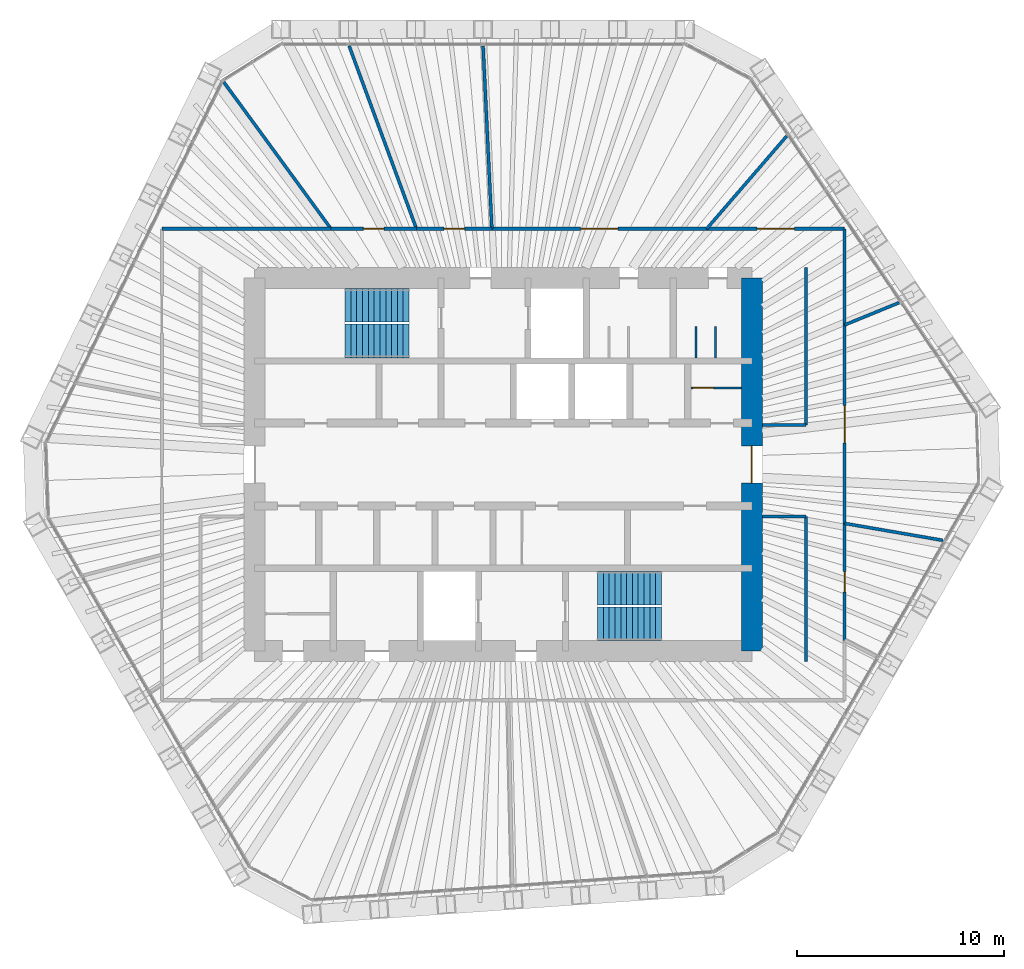
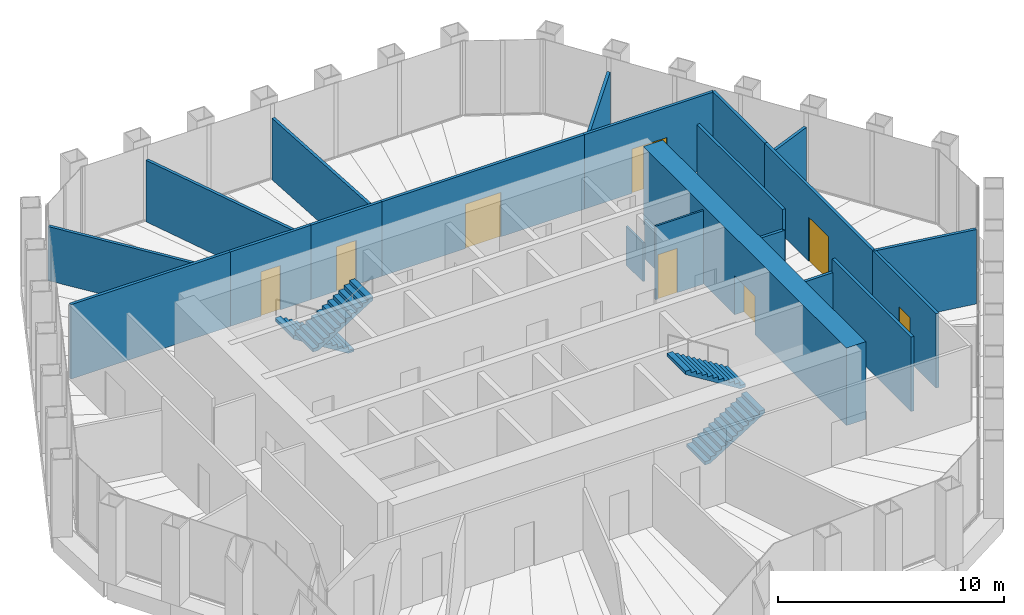
# One storey, part 13 of 14: 22 walls, 8 doors, 4 stair flights, 8 openings, 2 elements without a shape of their own.
"""IFC4 building model written with IfcOpenShell, lengths in metres."""

import ifcopenshell
import ifcopenshell.guid

model = None  # the IFC model being written
_history = None  # IfcOwnerHistory: only IFC2X3 demands one
_inside = {}  # id of a spatial element -> (the spatial element, [elements in it])
_under = {}  # id of a project, library or spatial element -> (it, [spatial elements below it])
_declared = {}  # id of a project -> (the project, [libraries it declares])
_typed = {}  # id of a type object -> (the type object, [elements of that type])
_made_of = {}  # id of a material, layer set ... -> (it, [elements and type objects made of it])


def new_model(schema):
    """Start an empty IFC model of exactly this schema.

    Asked for "IFC4X3", IfcOpenShell would pick the latest addendum, in which some entities
    have other attributes; the version numbers below select the first issue.
    IFC2X3 requires an IfcOwnerHistory on every rooted entity: one is made here for all.
    """
    global model, _history
    if schema == "IFC4X3":
        model = ifcopenshell.file(schema_version=(4, 3, 0, 0))
    else:
        model = ifcopenshell.file(schema=schema)
    _inside.clear()
    _under.clear()
    _declared.clear()
    _typed.clear()
    _made_of.clear()
    _history = None
    if model.schema == "IFC2X3":
        org = make("IfcOrganization", Name="unknown")
        user = make(
            "IfcPersonAndOrganization",
            ThePerson=make("IfcPerson", FamilyName="unknown"),
            TheOrganization=org,
        )
        app = make(
            "IfcApplication",
            ApplicationDeveloper=org,
            Version="unknown",
            ApplicationFullName="unknown",
            ApplicationIdentifier="unknown",
        )
        _history = make(
            "IfcOwnerHistory",
            OwningUser=user,
            OwningApplication=app,
            ChangeAction="ADDED",
            CreationDate=0,
        )
    return model


def make(cls, **values):
    """One entity of the class cls with the attributes given. An attribute that is None is left unset."""
    return model.create_entity(
        cls, **{name: value for name, value in values.items() if value is not None}
    )


def rooted(cls, **values):
    """An entity with a GlobalId (a new one), such as an element, a storey or a relation."""
    return make(cls, GlobalId=ifcopenshell.guid.new(), OwnerHistory=_history, **values)


def si_unit(unit_type, name, prefix=None):
    """IfcSIUnit, for example si_unit("LENGTHUNIT", "METRE", prefix="MILLI")."""
    return make("IfcSIUnit", UnitType=unit_type, Prefix=prefix, Name=name)


def assignment(units):
    """IfcUnitAssignment: the units of a project."""
    return None if units is None else make("IfcUnitAssignment", Units=units)


def point(xyz):
    """IfcCartesianPoint."""
    return None if xyz is None else make("IfcCartesianPoint", Coordinates=xyz)


def direction(xyz):
    """IfcDirection."""
    return None if xyz is None else make("IfcDirection", DirectionRatios=xyz)


def frame(location, z_axis=None, x_axis=None):
    """IfcAxis2Placement3D, a coordinate frame: its origin and axes. An axis left out is left unset."""
    return make(
        "IfcAxis2Placement3D",
        Location=point(location),
        Axis=direction(z_axis),
        RefDirection=direction(x_axis),
    )


def frame_2d(location, x_axis=None):
    """IfcAxis2Placement2D, a coordinate frame in the plane: its origin and x axis."""
    return make(
        "IfcAxis2Placement2D", Location=point(location), RefDirection=direction(x_axis)
    )


def origin():
    """The frame at (0, 0, 0) with its axes left unset."""
    return frame((0.0, 0.0, 0.0))


def place(relative_to, where):
    """IfcLocalPlacement: puts the frame where relative to a parent placement (None: the world)."""
    return make(
        "IfcLocalPlacement", PlacementRelTo=relative_to, RelativePlacement=where
    )


def context(
    kind, dimensions, precision=None, world=None, true_north=None, identifier=None
):
    """IfcGeometricRepresentationContext, for example the 3D "Model" context."""
    return make(
        "IfcGeometricRepresentationContext",
        ContextIdentifier=identifier,
        ContextType=kind,
        CoordinateSpaceDimension=dimensions,
        Precision=precision,
        WorldCoordinateSystem=world,
        TrueNorth=true_north,
    )


def subcontext(parent, identifier, kind, view, scale=None):
    """IfcGeometricRepresentationSubContext, for example "Body" below "Model"."""
    return make(
        "IfcGeometricRepresentationSubContext",
        ContextIdentifier=identifier,
        ContextType=kind,
        ParentContext=parent,
        TargetScale=scale,
        TargetView=view,
    )


def project(units=None, contexts=None):
    """IfcProject with its units and contexts."""
    return rooted(
        "IfcProject",
        Name="project",
        RepresentationContexts=contexts,
        UnitsInContext=assignment(units),
    )


def spatial(cls, under=None, at=None, **own):
    """A site, building, storey or space (cls), placed at a placement, below another one or the project."""
    s = rooted(cls, ObjectPlacement=at, **own)
    if under is not None:
        _under.setdefault(under.id(), (under, []))[1].append(s)
    return s


def polyline(points):
    """IfcPolyline through the points."""
    return make("IfcPolyline", Points=[point(p) for p in points])


def profile(cls, at=None, kind="AREA", **sizes):
    """A parametric profile (cls). Its sizes go by their IFC names, for example OverallWidth=200.0."""
    return make(cls, ProfileType=kind, Position=at, **sizes)


def rectangle(**sizes):
    """IfcRectangleProfileDef."""
    return profile("IfcRectangleProfileDef", **sizes)


def outline(outer, holes=None, kind="AREA"):
    """IfcArbitraryClosedProfileDef: a profile drawn as a closed curve; with holes, ...WithVoids."""
    if holes is None:
        return make("IfcArbitraryClosedProfileDef", ProfileType=kind, OuterCurve=outer)
    return make(
        "IfcArbitraryProfileDefWithVoids",
        ProfileType=kind,
        OuterCurve=outer,
        InnerCurves=holes,
    )


def extrude(swept, where, along, depth):
    """IfcExtrudedAreaSolid: the profile swept, set in the frame where, extruded along a direction by depth."""
    return make(
        "IfcExtrudedAreaSolid",
        SweptArea=swept,
        Position=where,
        ExtrudedDirection=direction(along),
        Depth=depth,
    )


def shape(context_of_items, identifier, shape_type, items):
    """IfcShapeRepresentation: the items that make up one representation, for example the "Body"."""
    return make(
        "IfcShapeRepresentation",
        ContextOfItems=context_of_items,
        RepresentationIdentifier=identifier,
        RepresentationType=shape_type,
        Items=items,
    )


def material(Name=None, Category=None):
    """IfcMaterial."""
    return make("IfcMaterial", Name=Name, Category=Category)


def layer(
    of_material, thickness, ventilated=None, Name=None, Category=None, Priority=None
):
    """IfcMaterialLayer: one layer of a wall or slab, of a material (None: an air gap)."""
    return make(
        "IfcMaterialLayer",
        Material=of_material,
        LayerThickness=thickness,
        IsVentilated=ventilated,
        Name=Name,
        Category=Category,
        Priority=Priority,
    )


def layer_set(layers, Name=None):
    """IfcMaterialLayerSet."""
    return make("IfcMaterialLayerSet", MaterialLayers=layers, LayerSetName=Name)


def made_of(thing, what):
    """Note that an element or type object is made of a material, layer set ...; save() writes the relation."""
    if what is not None:
        _made_of.setdefault(what.id(), (what, []))[1].append(thing)
    return thing


def type_object(cls, material=None, **own):
    """A type object (cls), such as IfcWallType, which elements share."""
    return made_of(rooted(cls, **own), material)


def element(
    cls,
    number,
    at=None,
    inside=None,
    cuts=None,
    type_object=None,
    material=None,
    context=None,
    identifier="Body",
    shape_type=None,
    held_by="IfcProductDefinitionShape",
    body=None,
    shapes=None,
    **own,
):
    """One element of the class cls, such as IfcWall. Its Tag is "e" and its number.

    at: its placement. inside: the storey or other place that contains it. cuts: it is an
    opening in that element (IfcRelVoidsElement). A single representation is given by context,
    identifier, shape_type and body (its items); several are given by shapes. held_by: the class
    of the entity that holds the representations. save() writes the other relations.
    """
    e = rooted(cls, Tag="e%d" % number, ObjectPlacement=at, **own)
    if body is not None:
        shapes = [shape(context, identifier, shape_type, body)]
    if shapes is not None:
        e.Representation = make(held_by, Representations=shapes)
    if inside is not None:
        _inside.setdefault(inside.id(), (inside, []))[1].append(e)
    if cuts is not None:
        rooted(
            "IfcRelVoidsElement", RelatingBuildingElement=cuts, RelatedOpeningElement=e
        )
    if type_object is not None:
        _typed.setdefault(type_object.id(), (type_object, []))[1].append(e)
    return made_of(e, material)


def fill(opening, filler):
    """IfcRelFillsElement: the door or window that sits in an opening."""
    return rooted(
        "IfcRelFillsElement",
        RelatingOpeningElement=opening,
        RelatedBuildingElement=filler,
    )


def aggregate(whole, parts):
    """IfcRelAggregates: a whole, such as a stair, and the parts it consists of."""
    return rooted("IfcRelAggregates", RelatingObject=whole, RelatedObjects=parts)


def save(model, path):
    """Write the relations noted so far, then the file.

    IfcRelAggregates (storeys below a building ...), IfcRelContainedInSpatialStructure (elements
    in a storey), IfcRelDefinesByType, IfcRelAssociatesMaterial and IfcRelDeclares: one each for
    every whole, place, type object, material and project.
    """
    for whole, parts in _under.values():
        aggregate(whole, parts)
    for where, things in _inside.values():
        rooted(
            "IfcRelContainedInSpatialStructure",
            RelatedElements=things,
            RelatingStructure=where,
        )
    for kind, things in _typed.values():
        rooted("IfcRelDefinesByType", RelatedObjects=things, RelatingType=kind)
    for what, things in _made_of.values():
        rooted("IfcRelAssociatesMaterial", RelatedObjects=things, RelatingMaterial=what)
    for by, libraries in _declared.values():
        rooted("IfcRelDeclares", RelatingContext=by, RelatedDefinitions=libraries)
    model.write(path)


model = new_model("IFC4")

# Units and contexts
model_context = context("Model", 3, precision=1e-05, world=origin(), true_north=direction((0.0, 1.0)))
body_context = subcontext(model_context, "Body", "Model", "MODEL_VIEW")
ifc_project = project(units=[si_unit("LENGTHUNIT", "METRE"), si_unit("AREAUNIT", "SQUARE_METRE"), si_unit("VOLUMEUNIT", "CUBIC_METRE"), si_unit("PLANEANGLEUNIT", "RADIAN"), si_unit("MASSUNIT", "GRAM", prefix="KILO")], contexts=[model_context])

# Site, building, storey
site_placement = place(None, origin())
site = spatial("IfcSite", under=ifc_project, at=site_placement, CompositionType="ELEMENT")
building_placement = place(site_placement, origin())
building = spatial("IfcBuilding", under=site, at=building_placement, Name="Qingtian Harvest Tower", CompositionType="ELEMENT")
storey_placement = place(building_placement, frame((0.0, 0.0, 274.60009765625)))
storey = spatial("IfcBuildingStorey", under=building, at=storey_placement, Name="L60", CompositionType="ELEMENT", Elevation=274.60009765625)

# Wall, opening, door
ifc_material_1 = material(Name="Concrete fc' 70 MPa", Category="concrete")
ifc_layer_1 = layer(ifc_material_1, 1.0)
ifc_layer_set_1 = layer_set([ifc_layer_1], Name="Core wall RC3 1000")
wall_type_1 = type_object("IfcWallType", Name="Core wall RC3 1000", PredefinedType="SHEAR", material=ifc_layer_set_1)
wall_1_placement = place(storey_placement, frame((12.0, -9.0, 0.0), z_axis=(0.0, 0.0, 1.0), x_axis=(0.0, 1.0, 0.0)))
wall_1 = element("IfcWall", 1, at=wall_1_placement, inside=storey, type_object=wall_type_1, Name="Core wall CE L60", PredefinedType="SHEAR", context=body_context, shape_type="SweptSolid", body=[
    extrude(rectangle(XDim=18.0, YDim=1.0, at=frame_2d((9.0, 0.0))), origin(), (0.0, 0.0, 1.0), 4.199951171875),
])
opening_1_placement = place(wall_1_placement, frame((8.10009765625, 0.0, 0.0)))
opening_1 = element("IfcOpeningElement", 2, at=opening_1_placement, cuts=wall_1, Name="Opening FD2", PredefinedType="OPENING", context=body_context, shape_type="SweptSolid", body=[
    extrude(rectangle(XDim=1.800048828125, YDim=2.10009765625, at=frame_2d((0.89990234375, 1.050048828125))), frame((0.0, 0.510009765625, 0.0), z_axis=(0.0, -1.0, 0.0), x_axis=(1.0, 0.0, 0.0)), (0.0, 0.0, 1.0), 1.02001953125),
])
ifc_material_2 = material(Name="Steel-faced door leaf", Category="steel")
door_type_1 = type_object("IfcDoorType", Name="Fire door FD2 double 1 HR", OperationType="DOUBLE_DOOR_DOUBLE_SWING", PredefinedType="DOOR", material=ifc_material_2)
door_1_placement = place(opening_1_placement, origin())
door_1 = element("IfcDoor", 3, at=door_1_placement, inside=storey, type_object=door_type_1, Name="LOBBY-E door L60", OperationType="DOUBLE_DOOR_DOUBLE_SWING", OverallHeight=2.10009765625, OverallWidth=1.800048828125, PredefinedType="DOOR", context=body_context, shape_type="SweptSolid", body=[
    extrude(rectangle(XDim=1.800048828125, YDim=2.10009765625, at=frame_2d((0.89990234375, 1.050048828125))), frame((0.0, 0.02490234375, 0.0), z_axis=(0.0, -1.0, 0.0), x_axis=(1.0, 0.0, 0.0)), (0.0, 0.0, 1.0), 0.050048828125),
])
fill(opening_1, door_1)

# Walls
ifc_material_3 = material(Name="Gypsum board on steel studs", Category="steel")
ifc_layer_2 = layer(ifc_material_3, 0.14990234375)
ifc_layer_set_2 = layer_set([ifc_layer_2], Name="Partition PT1 150")
wall_type_2 = type_object("IfcWallType", Name="Partition PT1 150", PredefinedType="PARTITIONING", material=ifc_layer_set_2)
wall_2_placement = place(storey_placement, frame((-16.47509765625, 11.375, 0.0), z_axis=(0.0, 0.0, 1.0), x_axis=(1.0, 0.0, 0.0)))
element("IfcWall", 4, at=wall_2_placement, inside=storey, type_object=wall_type_2, Name="Workplace zone wall L60", PredefinedType="PARTITIONING", context=body_context, shape_type="SweptSolid", body=[
    extrude(rectangle(XDim=8.162841796875, YDim=0.14990234375, at=frame_2d((4.08154296875, 0.0))), origin(), (0.0, 0.0, 1.0), 4.02978515625),
])
wall_3_placement = place(storey_placement, frame((-13.486083984375, 18.455322265625, 0.0), z_axis=(0.0, 0.0, 1.0), x_axis=(0.589997742419, -0.807404894672, 0.0)))
element("IfcWall", 5, at=wall_3_placement, inside=storey, type_object=wall_type_2, Name="Store room wall L60", PredefinedType="PARTITIONING", context=body_context, shape_type="SweptSolid", body=[
    extrude(rectangle(XDim=8.769287109375, YDim=0.14990234375, at=frame_2d((4.384765625, 0.0))), origin(), (0.0, 0.0, 1.0), 2.929931640625),
])

# Wall, opening, door
wall_4_placement = place(storey_placement, frame((-8.312255859375, 11.375, 0.0), z_axis=(0.0, 0.0, 1.0), x_axis=(1.0, 0.0, 0.0)))
wall_4 = element("IfcWall", 6, at=wall_4_placement, inside=storey, type_object=wall_type_2, Name="Store room wall L60", PredefinedType="PARTITIONING", context=body_context, shape_type="SweptSolid", body=[
    extrude(rectangle(XDim=4.1240234375, YDim=0.14990234375, at=frame_2d((2.06201171875, 0.0))), origin(), (0.0, 0.0, 1.0), 4.02978515625),
])
opening_2_placement = place(wall_4_placement, frame((1.56201171875, 0.0, 0.0)))
opening_2 = element("IfcOpeningElement", 7, at=opening_2_placement, cuts=wall_4, Name="Opening D2", PredefinedType="OPENING", context=body_context, shape_type="SweptSolid", body=[
    extrude(rectangle(XDim=1.0, YDim=2.39990234375, at=frame_2d((0.5, 1.199951171875))), frame((0.0, 0.0849609375, 0.0), z_axis=(0.0, -1.0, 0.0), x_axis=(1.0, 0.0, 0.0)), (0.0, 0.0, 1.0), 0.169921875),
])
ifc_material_4 = material(Name="Laminated timber door leaf", Category="wood")
door_type_2 = type_object("IfcDoorType", Name="Room door D2 single", OperationType="SINGLE_SWING_LEFT", PredefinedType="DOOR", material=ifc_material_4)
door_2_placement = place(opening_2_placement, origin())
door_2 = element("IfcDoor", 8, at=door_2_placement, inside=storey, type_object=door_type_2, Name="Store room door L60", OperationType="SINGLE_SWING_LEFT", OverallHeight=2.39990234375, OverallWidth=1.0, PredefinedType="DOOR", context=body_context, shape_type="SweptSolid", body=[
    extrude(rectangle(XDim=1.0, YDim=2.39990234375, at=frame_2d((0.5, 1.199951171875))), frame((0.0, 0.02490234375, 0.0), z_axis=(0.0, -1.0, 0.0), x_axis=(1.0, 0.0, 0.0)), (0.0, 0.0, 1.0), 0.050048828125),
])
fill(opening_2, door_2)

# Wall
wall_5_placement = place(storey_placement, frame((-7.439697265625, 20.2060546875, 0.0), z_axis=(0.0, 0.0, 1.0), x_axis=(0.345510588088, -0.938414851502, 0.0)))
element("IfcWall", 9, at=wall_5_placement, inside=storey, type_object=wall_type_2, Name="Quiet room wall L60", PredefinedType="PARTITIONING", context=body_context, shape_type="SweptSolid", body=[
    extrude(rectangle(XDim=9.41064453125, YDim=0.14990234375, at=frame_2d((4.705322265625, 0.0))), origin(), (0.0, 0.0, 1.0), 3.329833984375),
])

# Wall, opening, door
wall_6_placement = place(storey_placement, frame((-4.188232421875, 11.375, 0.0), z_axis=(0.0, 0.0, 1.0), x_axis=(1.0, 0.0, 0.0)))
wall_6 = element("IfcWall", 10, at=wall_6_placement, inside=storey, type_object=wall_type_2, Name="Quiet room wall L60", PredefinedType="PARTITIONING", context=body_context, shape_type="SweptSolid", body=[
    extrude(rectangle(XDim=3.64013671875, YDim=0.14990234375, at=frame_2d((1.820068359375, 0.0))), origin(), (0.0, 0.0, 1.0), 4.02978515625),
])
opening_3_placement = place(wall_6_placement, frame((1.320068359375, 0.0, 0.0)))
opening_3 = element("IfcOpeningElement", 11, at=opening_3_placement, cuts=wall_6, Name="Opening D2", PredefinedType="OPENING", context=body_context, shape_type="SweptSolid", body=[
    extrude(rectangle(XDim=1.0, YDim=2.39990234375, at=frame_2d((0.5, 1.199951171875))), frame((0.0, 0.0849609375, 0.0), z_axis=(0.0, -1.0, 0.0), x_axis=(1.0, 0.0, 0.0)), (0.0, 0.0, 1.0), 0.169921875),
])
door_3_placement = place(opening_3_placement, origin())
door_3 = element("IfcDoor", 12, at=door_3_placement, inside=storey, type_object=door_type_2, Name="Quiet room door L60", OperationType="SINGLE_SWING_LEFT", OverallHeight=2.39990234375, OverallWidth=1.0, PredefinedType="DOOR", context=body_context, shape_type="SweptSolid", body=[
    extrude(rectangle(XDim=1.0, YDim=2.39990234375, at=frame_2d((0.5, 1.199951171875))), frame((0.0, 0.02490234375, 0.0), z_axis=(0.0, -1.0, 0.0), x_axis=(1.0, 0.0, 0.0)), (0.0, 0.0, 1.0), 0.050048828125),
])
fill(opening_3, door_3)

# Wall
wall_7_placement = place(storey_placement, frame((-0.973388671875, 20.2001953125, 0.0), z_axis=(0.0, 0.0, 1.0), x_axis=(0.048134910622, -0.998840843368, 0.0)))
element("IfcWall", 13, at=wall_7_placement, inside=storey, type_object=wall_type_2, Name="Workplace zone wall L60", PredefinedType="PARTITIONING", context=body_context, shape_type="SweptSolid", body=[
    extrude(rectangle(XDim=8.83544921875, YDim=0.14990234375, at=frame_2d((4.417724609375, 0.0))), origin(), (0.0, 0.0, 1.0), 3.329833984375),
])

# Wall, opening, door
wall_8_placement = place(storey_placement, frame((-0.548095703125, 11.375, 0.0), z_axis=(0.0, 0.0, 1.0), x_axis=(1.0, 0.0, 0.0)))
wall_8 = element("IfcWall", 14, at=wall_8_placement, inside=storey, type_object=wall_type_2, Name="Workplace zone wall L60", PredefinedType="PARTITIONING", context=body_context, shape_type="SweptSolid", body=[
    extrude(rectangle(XDim=10.364501953125, YDim=0.14990234375, at=frame_2d((5.18212890625, 0.0))), origin(), (0.0, 0.0, 1.0), 4.02978515625),
])
opening_4_placement = place(wall_8_placement, frame((4.2822265625, 0.0, 0.0)))
opening_4 = element("IfcOpeningElement", 15, at=opening_4_placement, cuts=wall_8, Name="Opening D3", PredefinedType="OPENING", context=body_context, shape_type="SweptSolid", body=[
    extrude(rectangle(XDim=1.800048828125, YDim=2.39990234375, at=frame_2d((0.89990234375, 1.199951171875))), frame((0.0, 0.0849609375, 0.0), z_axis=(0.0, -1.0, 0.0), x_axis=(1.0, 0.0, 0.0)), (0.0, 0.0, 1.0), 0.169921875),
])
ifc_material_5 = material(Name="Laminated timber door leaf", Category="wood")
door_type_3 = type_object("IfcDoorType", Name="Room door D3 double", OperationType="DOUBLE_DOOR_DOUBLE_SWING", PredefinedType="DOOR", material=ifc_material_5)
door_4_placement = place(opening_4_placement, origin())
door_4 = element("IfcDoor", 16, at=door_4_placement, inside=storey, type_object=door_type_3, Name="Workplace zone door L60", OperationType="DOUBLE_DOOR_DOUBLE_SWING", OverallHeight=2.39990234375, OverallWidth=1.800048828125, PredefinedType="DOOR", context=body_context, shape_type="SweptSolid", body=[
    extrude(rectangle(XDim=1.800048828125, YDim=2.39990234375, at=frame_2d((0.89990234375, 1.199951171875))), frame((0.0, 0.02490234375, 0.0), z_axis=(0.0, -1.0, 0.0), x_axis=(1.0, 0.0, 0.0)), (0.0, 0.0, 1.0), 0.050048828125),
])
fill(opening_4, door_4)

# Wall
wall_9_placement = place(storey_placement, frame((13.678466796875, 15.850341796875, 0.0), z_axis=(0.0, 0.0, 1.0), x_axis=(-0.653328423077, -0.757074614288, 0.0)))
element("IfcWall", 17, at=wall_9_placement, inside=storey, type_object=wall_type_2, Name="Meeting room wall L60", PredefinedType="PARTITIONING", context=body_context, shape_type="SweptSolid", body=[
    extrude(rectangle(XDim=5.911376953125, YDim=0.14990234375, at=frame_2d((2.95556640625, 0.0))), origin(), (0.0, 0.0, 1.0), 3.329833984375),
])

# Wall, opening, door
wall_10_placement = place(storey_placement, frame((9.81640625, 11.375, 0.0), z_axis=(0.0, 0.0, 1.0), x_axis=(1.0, 0.0, 0.0)))
wall_10 = element("IfcWall", 18, at=wall_10_placement, inside=storey, type_object=wall_type_2, Name="Meeting room wall L60", PredefinedType="PARTITIONING", context=body_context, shape_type="SweptSolid", body=[
    extrude(rectangle(XDim=6.65869140625, YDim=0.14990234375, at=frame_2d((3.329345703125, 0.0))), origin(), (0.0, 0.0, 1.0), 4.02978515625),
])
opening_5_placement = place(wall_10_placement, frame((2.42919921875, 0.0, 0.0)))
opening_5 = element("IfcOpeningElement", 19, at=opening_5_placement, cuts=wall_10, Name="Opening D3", PredefinedType="OPENING", context=body_context, shape_type="SweptSolid", body=[
    extrude(rectangle(XDim=1.800048828125, YDim=2.39990234375, at=frame_2d((0.89990234375, 1.199951171875))), frame((0.0, 0.0849609375, 0.0), z_axis=(0.0, -1.0, 0.0), x_axis=(1.0, 0.0, 0.0)), (0.0, 0.0, 1.0), 0.169921875),
])
door_5_placement = place(opening_5_placement, origin())
door_5 = element("IfcDoor", 20, at=door_5_placement, inside=storey, type_object=door_type_3, Name="Meeting room door L60", OperationType="DOUBLE_DOOR_DOUBLE_SWING", OverallHeight=2.39990234375, OverallWidth=1.800048828125, PredefinedType="DOOR", context=body_context, shape_type="SweptSolid", body=[
    extrude(rectangle(XDim=1.800048828125, YDim=2.39990234375, at=frame_2d((0.89990234375, 1.199951171875))), frame((0.0, 0.02490234375, 0.0), z_axis=(0.0, -1.0, 0.0), x_axis=(1.0, 0.0, 0.0)), (0.0, 0.0, 1.0), 0.050048828125),
])
fill(opening_5, door_5)

# Walls
wall_11_placement = place(storey_placement, frame((16.47509765625, 11.375, 0.0), z_axis=(0.0, 0.0, 1.0), x_axis=(0.0, -1.0, 0.0)))
element("IfcWall", 21, at=wall_11_placement, inside=storey, type_object=wall_type_2, Name="Meeting room wall L60", PredefinedType="PARTITIONING", context=body_context, shape_type="SweptSolid", body=[
    extrude(rectangle(XDim=4.638427734375, YDim=0.14990234375, at=frame_2d((2.3193359375, 0.0))), origin(), (0.0, 0.0, 1.0), 4.02978515625),
])
wall_12_placement = place(storey_placement, frame((19.10009765625, 7.81005859375, 0.0), z_axis=(0.0, 0.0, 1.0), x_axis=(-0.925593572601, -0.378518874509, 0.0)))
element("IfcWall", 22, at=wall_12_placement, inside=storey, type_object=wall_type_2, Name="Workplace zone wall L60", PredefinedType="PARTITIONING", context=body_context, shape_type="SweptSolid", body=[
    extrude(rectangle(XDim=2.8359375, YDim=0.14990234375, at=frame_2d((1.41796875, 0.0))), origin(), (0.0, 0.0, 1.0), 3.329833984375),
])

# Wall, opening, door
wall_13_placement = place(storey_placement, frame((16.47509765625, 6.736572265625, 0.0), z_axis=(0.0, 0.0, 1.0), x_axis=(0.0, -1.0, 0.0)))
wall_13 = element("IfcWall", 23, at=wall_13_placement, inside=storey, type_object=wall_type_2, Name="Workplace zone wall L60", PredefinedType="PARTITIONING", context=body_context, shape_type="SweptSolid", body=[
    extrude(rectangle(XDim=9.578369140625, YDim=0.14990234375, at=frame_2d((4.7890625, 0.0))), origin(), (0.0, 0.0, 1.0), 4.02978515625),
])
opening_6_placement = place(wall_13_placement, frame((3.88916015625, 0.0, 0.0)))
opening_6 = element("IfcOpeningElement", 24, at=opening_6_placement, cuts=wall_13, Name="Opening D3", PredefinedType="OPENING", context=body_context, shape_type="SweptSolid", body=[
    extrude(rectangle(XDim=1.800048828125, YDim=2.39990234375, at=frame_2d((0.89990234375, 1.199951171875))), frame((0.0, 0.0849609375, 0.0), z_axis=(0.0, -1.0, 0.0), x_axis=(1.0, 0.0, 0.0)), (0.0, 0.0, 1.0), 0.169921875),
])
door_6_placement = place(opening_6_placement, origin())
door_6 = element("IfcDoor", 25, at=door_6_placement, inside=storey, type_object=door_type_3, Name="Workplace zone door L60", OperationType="DOUBLE_DOOR_DOUBLE_SWING", OverallHeight=2.39990234375, OverallWidth=1.800048828125, PredefinedType="DOOR", context=body_context, shape_type="SweptSolid", body=[
    extrude(rectangle(XDim=1.800048828125, YDim=2.39990234375, at=frame_2d((0.89990234375, 1.199951171875))), frame((0.0, 0.02490234375, 0.0), z_axis=(0.0, -1.0, 0.0), x_axis=(1.0, 0.0, 0.0)), (0.0, 0.0, 1.0), 0.050048828125),
])
fill(opening_6, door_6)

# Wall
wall_14_placement = place(storey_placement, frame((21.218994140625, -3.66015625, 0.0), z_axis=(0.0, 0.0, 1.0), x_axis=(-0.985444592587, 0.16999692627, 0.0)))
element("IfcWall", 26, at=wall_14_placement, inside=storey, type_object=wall_type_2, Name="Pantry wall L60", PredefinedType="PARTITIONING", context=body_context, shape_type="SweptSolid", body=[
    extrude(rectangle(XDim=4.81396484375, YDim=0.14990234375, at=frame_2d((2.406982421875, 0.0))), origin(), (0.0, 0.0, 1.0), 4.02978515625),
])

# Wall, opening, door
wall_15_placement = place(storey_placement, frame((16.47509765625, -2.841796875, 0.0), z_axis=(0.0, 0.0, 1.0), x_axis=(0.0, -1.0, 0.0)))
wall_15 = element("IfcWall", 27, at=wall_15_placement, inside=storey, type_object=wall_type_2, Name="Pantry wall L60", PredefinedType="PARTITIONING", context=body_context, shape_type="SweptSolid", body=[
    extrude(rectangle(XDim=5.64013671875, YDim=0.14990234375, at=frame_2d((2.820068359375, 0.0))), origin(), (0.0, 0.0, 1.0), 4.02978515625),
])
opening_7_placement = place(wall_15_placement, frame((2.320068359375, 0.0, 0.0)))
opening_7 = element("IfcOpeningElement", 28, at=opening_7_placement, cuts=wall_15, Name="Opening D2", PredefinedType="OPENING", context=body_context, shape_type="SweptSolid", body=[
    extrude(rectangle(XDim=1.0, YDim=2.39990234375, at=frame_2d((0.5, 1.199951171875))), frame((0.0, 0.0849609375, 0.0), z_axis=(0.0, -1.0, 0.0), x_axis=(1.0, 0.0, 0.0)), (0.0, 0.0, 1.0), 0.169921875),
])
door_7_placement = place(opening_7_placement, origin())
door_7 = element("IfcDoor", 29, at=door_7_placement, inside=storey, type_object=door_type_2, Name="Pantry door L60", OperationType="SINGLE_SWING_LEFT", OverallHeight=2.39990234375, OverallWidth=1.0, PredefinedType="DOOR", context=body_context, shape_type="SweptSolid", body=[
    extrude(rectangle(XDim=1.0, YDim=2.39990234375, at=frame_2d((0.5, 1.199951171875))), frame((0.0, 0.02490234375, 0.0), z_axis=(0.0, -1.0, 0.0), x_axis=(1.0, 0.0, 0.0)), (0.0, 0.0, 1.0), 0.050048828125),
])
fill(opening_7, door_7)

# Walls
wall_16_placement = place(storey_placement, frame((14.60009765625, 1.89990234375, 0.0), z_axis=(0.0, 0.0, 1.0), x_axis=(0.0, 1.0, 0.0)))
element("IfcWall", 30, at=wall_16_placement, inside=storey, type_object=wall_type_2, Name="Coffee point wall L60", PredefinedType="PARTITIONING", context=body_context, shape_type="SweptSolid", body=[
    extrude(rectangle(XDim=7.60009765625, YDim=0.14990234375, at=frame_2d((3.800048828125, 0.0))), origin(), (0.0, 0.0, 1.0), 4.02978515625),
])
wall_17_placement = place(storey_placement, frame((12.5, 1.89990234375, 0.0), z_axis=(0.0, 0.0, 1.0), x_axis=(1.0, 0.0, 0.0)))
element("IfcWall", 31, at=wall_17_placement, inside=storey, type_object=wall_type_2, Name="Coffee point wall L60", PredefinedType="PARTITIONING", context=body_context, shape_type="SweptSolid", body=[
    extrude(rectangle(XDim=2.10009765625, YDim=0.14990234375, at=frame_2d((1.050048828125, 0.0))), origin(), (0.0, 0.0, 1.0), 2.929931640625),
])
wall_18_placement = place(storey_placement, frame((14.60009765625, -9.5, 0.0), z_axis=(0.0, 0.0, 1.0), x_axis=(0.0, 1.0, 0.0)))
element("IfcWall", 32, at=wall_18_placement, inside=storey, type_object=wall_type_2, Name="Print area wall L60", PredefinedType="PARTITIONING", context=body_context, shape_type="SweptSolid", body=[
    extrude(rectangle(XDim=7.0, YDim=0.14990234375, at=frame_2d((3.5, 0.0))), origin(), (0.0, 0.0, 1.0), 4.02978515625),
])
wall_19_placement = place(storey_placement, frame((12.5, -2.5, 0.0), z_axis=(0.0, 0.0, 1.0), x_axis=(1.0, 0.0, 0.0)))
element("IfcWall", 33, at=wall_19_placement, inside=storey, type_object=wall_type_2, Name="Print area wall L60", PredefinedType="PARTITIONING", context=body_context, shape_type="SweptSolid", body=[
    extrude(rectangle(XDim=2.10009765625, YDim=0.14990234375, at=frame_2d((1.050048828125, 0.0))), origin(), (0.0, 0.0, 1.0), 3.329833984375),
])

# Wall, opening, door
ifc_material_6 = material(Name="Concrete block partition", Category="concrete")
ifc_layer_3 = layer(ifc_material_6, 0.10009765625)
ifc_layer_set_3 = layer_set([ifc_layer_3], Name="Store partition PT3 100")
wall_type_3 = type_object("IfcWallType", Name="Store partition PT3 100", PredefinedType="PARTITIONING", material=ifc_layer_set_3)
wall_20_placement = place(storey_placement, frame((9.050048828125, 3.699951171875, 0.0), z_axis=(0.0, 0.0, 1.0), x_axis=(1.0, 0.0, 0.0)))
wall_20 = element("IfcWall", 34, at=wall_20_placement, inside=storey, type_object=wall_type_3, Name="Filter plant room wall L60", PredefinedType="PARTITIONING", context=body_context, shape_type="SweptSolid", body=[
    extrude(rectangle(XDim=2.449951171875, YDim=0.10009765625, at=frame_2d((1.22509765625, 0.0))), origin(), (0.0, 0.0, 1.0), 3.97998046875),
])
opening_8_placement = place(wall_20_placement, frame((0.10009765625, 0.0, 0.0)))
opening_8 = element("IfcOpeningElement", 35, at=opening_8_placement, cuts=wall_20, Name="Opening D2", PredefinedType="OPENING", context=body_context, shape_type="SweptSolid", body=[
    extrude(rectangle(XDim=1.0, YDim=2.39990234375, at=frame_2d((0.5, 1.199951171875))), frame((0.0, 0.06005859375, 0.0), z_axis=(0.0, -1.0, 0.0), x_axis=(1.0, 0.0, 0.0)), (0.0, 0.0, 1.0), 0.1201171875),
])
door_8_placement = place(opening_8_placement, origin())
door_8 = element("IfcDoor", 36, at=door_8_placement, inside=storey, type_object=door_type_2, Name="Filter plant room door L60", OperationType="SINGLE_SWING_LEFT", OverallHeight=2.39990234375, OverallWidth=1.0, PredefinedType="DOOR", context=body_context, shape_type="SweptSolid", body=[
    extrude(rectangle(XDim=1.0, YDim=2.39990234375, at=frame_2d((0.5, 1.199951171875))), frame((0.0, 0.02490234375, 0.0), z_axis=(0.0, -1.0, 0.0), x_axis=(1.0, 0.0, 0.0)), (0.0, 0.0, 1.0), 0.050048828125),
])
fill(opening_8, door_8)

# Walls
ifc_material_7 = material(Name="Compact laminate cubicle partition", Category="plastic")
ifc_layer_4 = layer(ifc_material_7, 0.10009765625)
ifc_layer_set_4 = layer_set([ifc_layer_4], Name="WC cubicle partition WP1 100")
wall_type_4 = type_object("IfcWallType", Name="WC cubicle partition WP1 100", PredefinedType="PARTITIONING", material=ifc_layer_set_4)
for number, where, z_axis, x_axis, name in (
    (37, (9.300048828125, 5.14990234375, 0.0), (0.0, 0.0, 1.0), (0.0, 1.0, 0.0), "WC cubicle partition WCF L60"),
    (38, (10.25, 5.14990234375, 0.0), (0.0, 0.0, 1.0), (0.0, 1.0, 0.0), "WC cubicle partition WCF L60"),
):
    element("IfcWall", number, at=place(storey_placement, frame(where, z_axis=z_axis, x_axis=x_axis)), inside=storey, type_object=wall_type_4, Name=name, PredefinedType="PARTITIONING", context=body_context, shape_type="SweptSolid", body=[
        extrude(rectangle(XDim=1.5, YDim=0.10009765625, at=frame_2d((0.75, 0.0))), origin(), (0.0, 0.0, 1.0), 2.099853515625),
    ])

# Stair, stair flights
ifc_material_8 = material(Name="Concrete fc' 35 MPa", Category="concrete")
stair_type = type_object("IfcStairType", Name="Special stair ST6 4200", PredefinedType="HALF_TURN_STAIR", material=ifc_material_8)
stair_1_placement = place(storey_placement, origin())
stair_1 = element("IfcStair", 39, at=stair_1_placement, inside=storey, type_object=stair_type, Name="Special stair S1 L60", PredefinedType="HALF_TURN_STAIR")
ifc_material_9 = material(Name="Concrete fc' 35 MPa", Category="concrete")
stair_flight_type = type_object("IfcStairFlightType", Name="Stair flight SF6 4200", PredefinedType="STRAIGHT", material=ifc_material_9)
stair_flight_1_placement = place(storey_placement, frame((-4.550048828125, 7.6875, 0.0), z_axis=(0.0, 0.0, 1.0), x_axis=(-1.0, 0.0, 0.0)))
stair_flight_1 = element("IfcStairFlight", 40, at=stair_flight_1_placement, type_object=stair_flight_type, Name="S1 flight 1", NumberOfRisers=12, NumberOfTreads=11, PredefinedType="STRAIGHT", RiserHeight=0.175, TreadLength=0.28, context=body_context, shape_type="SweptSolid", body=[
    extrude(outline(polyline([(0.0, 0.0), (0.0, 0.175048828125), (0.280029296875, 0.175048828125), (0.280029296875, 0.35009765625), (0.56005859375, 0.35009765625), (0.56005859375, 0.52490234375), (0.840087890625, 0.52490234375), (0.840087890625, 0.699951171875), (1.1201171875, 0.699951171875), (1.1201171875, 0.875), (1.39990234375, 0.875), (1.39990234375, 1.050048828125), (1.679931640625, 1.050048828125), (1.679931640625, 1.22509765625), (1.9599609375, 1.22509765625), (1.9599609375, 1.39990234375), (2.239990234375, 1.39990234375), (2.239990234375, 1.574951171875), (2.52001953125, 1.574951171875), (2.52001953125, 1.75), (2.800048828125, 1.75), (2.800048828125, 1.925048828125), (3.080078125, 1.925048828125), (3.080078125, 2.10009765625), (3.080078125, 1.748291015625), (0.28271484375, 0.0), (0.0, 0.0)])), frame((0.0, 0.8125, 0.0), z_axis=(0.0, -1.0, 0.0), x_axis=(1.0, 0.0, 0.0)), (0.0, 0.0, 1.0), 1.625),
])
stair_flight_2_placement = place(storey_placement, frame((-7.6298828125, 5.96240234375, 2.099853515625), z_axis=(0.0, 0.0, 1.0), x_axis=(1.0, 0.0, 0.0)))
stair_flight_2 = element("IfcStairFlight", 41, at=stair_flight_2_placement, type_object=stair_flight_type, Name="S1 flight 2", NumberOfRisers=12, NumberOfTreads=11, PredefinedType="STRAIGHT", RiserHeight=0.175, TreadLength=0.28, context=body_context, shape_type="SweptSolid", body=[
    extrude(outline(polyline([(0.0, 0.0), (0.0, 0.175048828125), (0.280029296875, 0.175048828125), (0.280029296875, 0.35009765625), (0.56005859375, 0.35009765625), (0.56005859375, 0.52490234375), (0.840087890625, 0.52490234375), (0.840087890625, 0.699951171875), (1.1201171875, 0.699951171875), (1.1201171875, 0.875), (1.39990234375, 0.875), (1.39990234375, 1.050048828125), (1.679931640625, 1.050048828125), (1.679931640625, 1.22509765625), (1.9599609375, 1.22509765625), (1.9599609375, 1.39990234375), (2.239990234375, 1.39990234375), (2.239990234375, 1.574951171875), (2.52001953125, 1.574951171875), (2.52001953125, 1.75), (2.800048828125, 1.75), (2.800048828125, 1.925048828125), (3.080078125, 1.925048828125), (3.080078125, 2.10009765625), (3.080078125, 1.748291015625), (0.28271484375, 0.0), (0.0, 0.0)])), frame((0.0, 0.8125, 0.0), z_axis=(0.0, -1.0, 0.0), x_axis=(1.0, 0.0, 0.0)), (0.0, 0.0, 1.0), 1.625),
])
aggregate(stair_1, [stair_flight_1, stair_flight_2])

stair_2_placement = place(storey_placement, origin())
stair_2 = element("IfcStair", 42, at=stair_2_placement, inside=storey, type_object=stair_type, Name="Special stair S2 L60", PredefinedType="HALF_TURN_STAIR")
stair_flight_3_placement = place(storey_placement, frame((4.550048828125, -7.6875, 0.0), z_axis=(0.0, 0.0, 1.0), x_axis=(1.0, 0.0, 0.0)))
stair_flight_3 = element("IfcStairFlight", 43, at=stair_flight_3_placement, type_object=stair_flight_type, Name="S2 flight 1", NumberOfRisers=12, NumberOfTreads=11, PredefinedType="STRAIGHT", RiserHeight=0.175, TreadLength=0.28, context=body_context, shape_type="SweptSolid", body=[
    extrude(outline(polyline([(0.0, 0.0), (0.0, 0.175048828125), (0.280029296875, 0.175048828125), (0.280029296875, 0.35009765625), (0.56005859375, 0.35009765625), (0.56005859375, 0.52490234375), (0.840087890625, 0.52490234375), (0.840087890625, 0.699951171875), (1.1201171875, 0.699951171875), (1.1201171875, 0.875), (1.39990234375, 0.875), (1.39990234375, 1.050048828125), (1.679931640625, 1.050048828125), (1.679931640625, 1.22509765625), (1.9599609375, 1.22509765625), (1.9599609375, 1.39990234375), (2.239990234375, 1.39990234375), (2.239990234375, 1.574951171875), (2.52001953125, 1.574951171875), (2.52001953125, 1.75), (2.800048828125, 1.75), (2.800048828125, 1.925048828125), (3.080078125, 1.925048828125), (3.080078125, 2.10009765625), (3.080078125, 1.748291015625), (0.28271484375, 0.0), (0.0, 0.0)])), frame((0.0, 0.8125, 0.0), z_axis=(0.0, -1.0, 0.0), x_axis=(1.0, 0.0, 0.0)), (0.0, 0.0, 1.0), 1.625),
])
stair_flight_4_placement = place(storey_placement, frame((7.6298828125, -5.96240234375, 2.099853515625), z_axis=(0.0, 0.0, 1.0), x_axis=(-1.0, 0.0, 0.0)))
stair_flight_4 = element("IfcStairFlight", 44, at=stair_flight_4_placement, type_object=stair_flight_type, Name="S2 flight 2", NumberOfRisers=12, NumberOfTreads=11, PredefinedType="STRAIGHT", RiserHeight=0.175, TreadLength=0.28, context=body_context, shape_type="SweptSolid", body=[
    extrude(outline(polyline([(0.0, 0.0), (0.0, 0.175048828125), (0.280029296875, 0.175048828125), (0.280029296875, 0.35009765625), (0.56005859375, 0.35009765625), (0.56005859375, 0.52490234375), (0.840087890625, 0.52490234375), (0.840087890625, 0.699951171875), (1.1201171875, 0.699951171875), (1.1201171875, 0.875), (1.39990234375, 0.875), (1.39990234375, 1.050048828125), (1.679931640625, 1.050048828125), (1.679931640625, 1.22509765625), (1.9599609375, 1.22509765625), (1.9599609375, 1.39990234375), (2.239990234375, 1.39990234375), (2.239990234375, 1.574951171875), (2.52001953125, 1.574951171875), (2.52001953125, 1.75), (2.800048828125, 1.75), (2.800048828125, 1.925048828125), (3.080078125, 1.925048828125), (3.080078125, 2.10009765625), (3.080078125, 1.748291015625), (0.28271484375, 0.0), (0.0, 0.0)])), frame((0.0, 0.8125, 0.0), z_axis=(0.0, -1.0, 0.0), x_axis=(1.0, 0.0, 0.0)), (0.0, 0.0, 1.0), 1.625),
])
aggregate(stair_2, [stair_flight_3, stair_flight_4])

save(model, "model.ifc")
